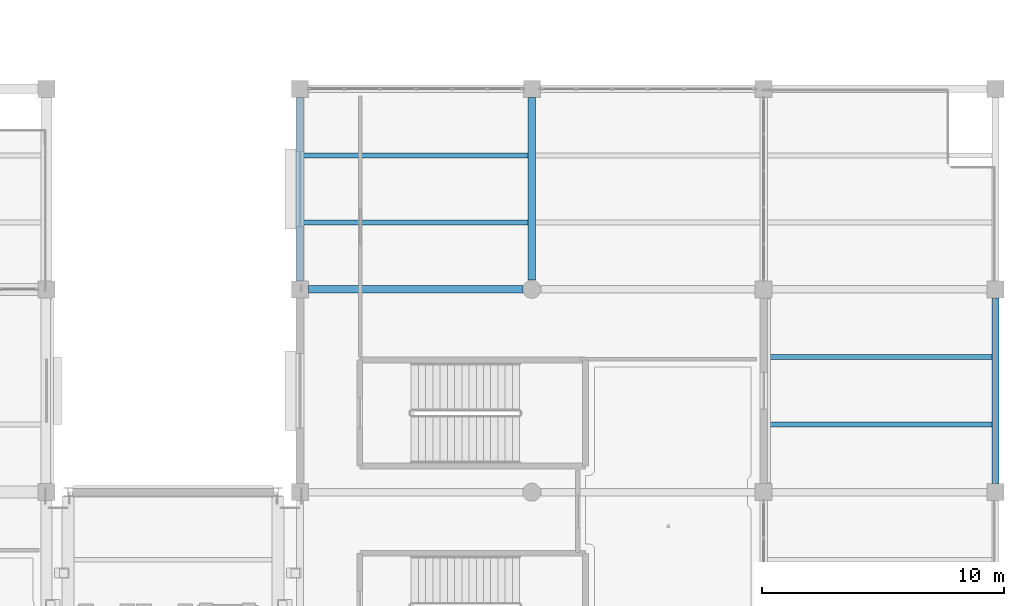
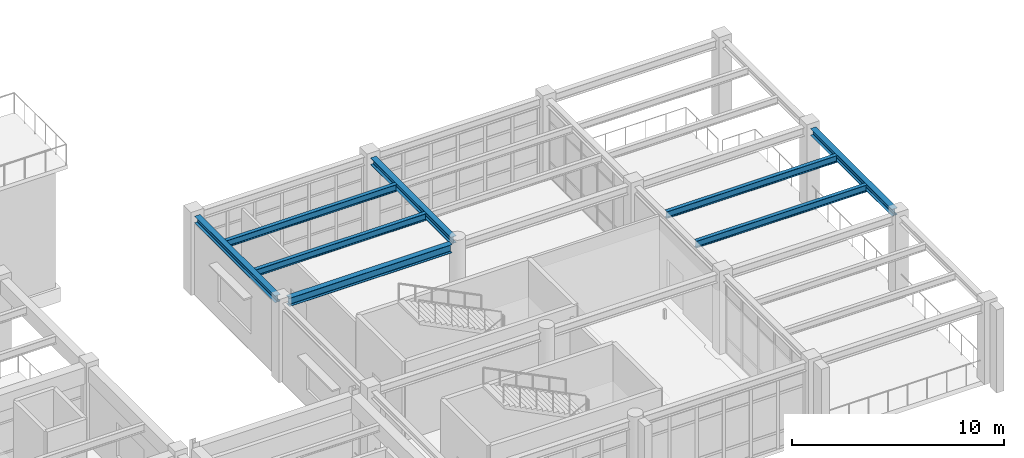
# One storey, part 60 of 98: 8 beams.
"""IFC4 building model written with IfcOpenShell, lengths in metres."""

from ifc_helpers import new_model, si_unit, direction, frame, origin, origin_2d, place, context, subcontext, project, spatial, i_section, extrude, material, material_profile, profile_set, type_object, element, save


model = new_model("IFC4")

# Units and contexts
model_context = context("Model", 3, precision=1e-05, world=origin(), true_north=direction((0.0, 1.0)))
body_context = subcontext(model_context, "Body", "Model", "MODEL_VIEW")
ifc_project = project(units=[si_unit("LENGTHUNIT", "METRE"), si_unit("AREAUNIT", "SQUARE_METRE"), si_unit("VOLUMEUNIT", "CUBIC_METRE"), si_unit("PLANEANGLEUNIT", "RADIAN"), si_unit("MASSUNIT", "GRAM", prefix="KILO")], contexts=[model_context])

# Site, building, storey
site_placement = place(None, origin())
site = spatial("IfcSite", under=ifc_project, at=site_placement, CompositionType="ELEMENT")
building_placement = place(site_placement, origin())
building = spatial("IfcBuilding", under=site, at=building_placement, Name="Canglan Escarpment Cableway Terminal", CompositionType="ELEMENT")
storey_placement = place(building_placement, frame((0.0, 0.0, 9.60009765625)))
storey = spatial("IfcBuildingStorey", under=building, at=storey_placement, Name="L02", CompositionType="ELEMENT", Elevation=9.60009765625)

# Beams
ifc_material = material(Name="Steel Q355B", Category="steel")
ifc_material_profile_1 = material_profile(ifc_material, i_section(OverallWidth=0.300048828125, OverallDepth=0.389892578125, WebThickness=0.010009765625, FlangeThickness=0.01611328125, FilletRadius=0.02197265625, at=origin_2d()), Name="HM 390x300x10x16")
ifc_profile_set_1 = profile_set([ifc_material_profile_1], Name="Steel Q355B")
beam_type_1 = type_object("IfcBeamType", Name="BM-ARCH-TOP-HM390", PredefinedType="BEAM", material=ifc_profile_set_1)
beam_1_placement = place(storey_placement, frame((147.199951171875, 25.14990234375, 4.324951171875), z_axis=(0.0, 1.0, 0.0), x_axis=(-1.0, 0.0, 0.0)))
element("IfcBeam", 1, at=beam_1_placement, inside=storey, type_object=beam_type_1, Name="Primary transverse girder AR-TC1", PredefinedType="BEAM", context=body_context, shape_type="SweptSolid", body=[
    extrude(i_section(OverallWidth=0.300048828125, OverallDepth=0.389892578125, WebThickness=0.010009765625, FlangeThickness=0.01611328125, FilletRadius=0.02197265625, at=origin_2d()), origin(), (0.0, 0.0, 1.0), 7.60009765625),
])
beam_2_placement = place(storey_placement, frame((156.800048828125, 25.175048828125, 4.324951171875), z_axis=(0.0, 1.0, 0.0), x_axis=(-1.0, 0.0, 0.0)))
element("IfcBeam", 2, at=beam_2_placement, inside=storey, type_object=beam_type_1, Name="Primary transverse girder AR-TC1", PredefinedType="BEAM", context=body_context, shape_type="SweptSolid", body=[
    extrude(i_section(OverallWidth=0.300048828125, OverallDepth=0.389892578125, WebThickness=0.010009765625, FlangeThickness=0.01611328125, FilletRadius=0.02197265625, at=origin_2d()), origin(), (0.0, 0.0, 1.0), 7.574951171875),
])
beam_3_placement = place(storey_placement, frame((176.0, 16.75, 4.324951171875), z_axis=(0.0, 1.0, 0.0), x_axis=(-1.0, 0.0, 0.0)))
element("IfcBeam", 3, at=beam_3_placement, inside=storey, type_object=beam_type_1, Name="Primary transverse girder AR-TC1", PredefinedType="BEAM", context=body_context, shape_type="SweptSolid", body=[
    extrude(i_section(OverallWidth=0.300048828125, OverallDepth=0.389892578125, WebThickness=0.010009765625, FlangeThickness=0.01611328125, FilletRadius=0.02197265625, at=origin_2d()), origin(), (0.0, 0.0, 1.0), 7.699951171875),
])
ifc_material_profile_2 = material_profile(ifc_material, i_section(OverallWidth=0.300048828125, OverallDepth=0.488037109375, WebThickness=0.010986328125, FlangeThickness=0.01806640625, FilletRadius=0.02587890625, at=origin_2d()), Name="HM 488x300x11x18")
ifc_profile_set_2 = profile_set([ifc_material_profile_2], Name="Steel Q355B")
beam_type_2 = type_object("IfcBeamType", Name="BM-HM488", PredefinedType="BEAM", material=ifc_profile_set_2)
beam_4_placement = place(storey_placement, frame((147.550048828125, 24.800048828125, 4.27587890625), z_axis=(1.0, 0.0, 0.0), x_axis=(0.0, 1.0, 0.0)))
element("IfcBeam", 4, at=beam_4_placement, inside=storey, type_object=beam_type_2, Name="Primary structural girder B-09", PredefinedType="BEAM", context=body_context, shape_type="SweptSolid", body=[
    extrude(i_section(OverallWidth=0.300048828125, OverallDepth=0.488037109375, WebThickness=0.010986328125, FlangeThickness=0.01806640625, FilletRadius=0.02587890625, at=origin_2d()), origin(), (0.0, 0.0, 1.0), 8.875),
])
ifc_material_profile_3 = material_profile(ifc_material, i_section(OverallWidth=0.199951171875, OverallDepth=0.39990234375, WebThickness=0.008056640625, FlangeThickness=0.012939453125, FilletRadius=0.01611328125, at=origin_2d()), Name="HN 400x200x8x13")
ifc_profile_set_3 = profile_set([ifc_material_profile_3], Name="Steel Q355B")
beam_type_3 = type_object("IfcBeamType", Name="JS-HN400", PredefinedType="JOIST", material=ifc_profile_set_3)
for number, where, z_axis, x_axis, name in (
    (5, (147.35009765625, 27.566650390625, 4.31982421875), (1.0, 0.0, 0.0), (0.0, 1.0, 0.0), "Secondary composite deck joist J-03"),
    (6, (147.35009765625, 30.333251953125, 4.31982421875), (1.0, 0.0, 0.0), (0.0, 1.0, 0.0), "Secondary composite deck joist J-03"),
):
    element("IfcBeam", number, at=place(storey_placement, frame(where, z_axis=z_axis, x_axis=x_axis)), inside=storey, type_object=beam_type_3, Name=name, PredefinedType="JOIST", context=body_context, shape_type="SweptSolid", body=[
        extrude(i_section(OverallWidth=0.199951171875, OverallDepth=0.39990234375, WebThickness=0.008056640625, FlangeThickness=0.012939453125, FilletRadius=0.01611328125, at=origin_2d()), origin(), (0.0, 0.0, 1.0), 9.2998046875),
    ])
for number, where, z_axis, x_axis, name in (
    (7, (166.550048828125, 19.199951171875, 4.31982421875), (1.0, 0.0, 0.0), (0.0, 1.0, 0.0), "Secondary composite deck joist J-03"),
    (8, (166.550048828125, 22.0, 4.31982421875), (1.0, 0.0, 0.0), (0.0, 1.0, 0.0), "Secondary composite deck joist J-03"),
):
    element("IfcBeam", number, at=place(storey_placement, frame(where, z_axis=z_axis, x_axis=x_axis)), inside=storey, type_object=beam_type_3, Name=name, PredefinedType="JOIST", context=body_context, shape_type="SweptSolid", body=[
        extrude(i_section(OverallWidth=0.199951171875, OverallDepth=0.39990234375, WebThickness=0.008056640625, FlangeThickness=0.012939453125, FilletRadius=0.01611328125, at=origin_2d()), origin(), (0.0, 0.0, 1.0), 9.300048828125),
    ])

save(model, "model.ifc")
